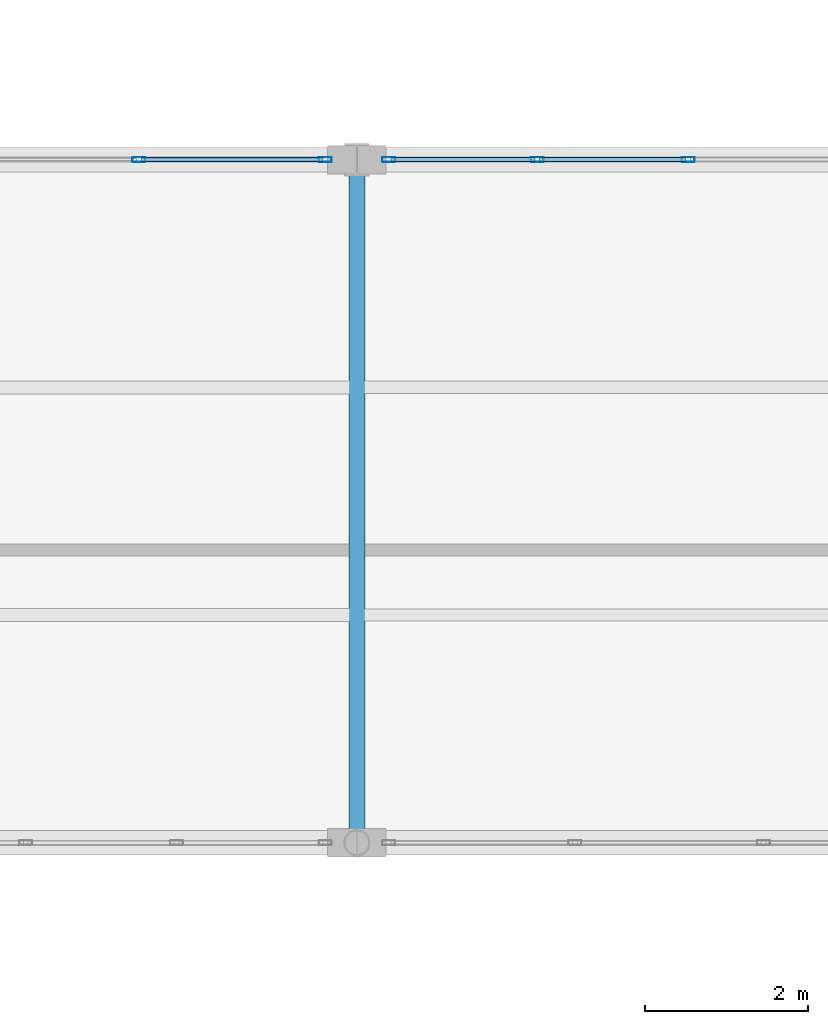
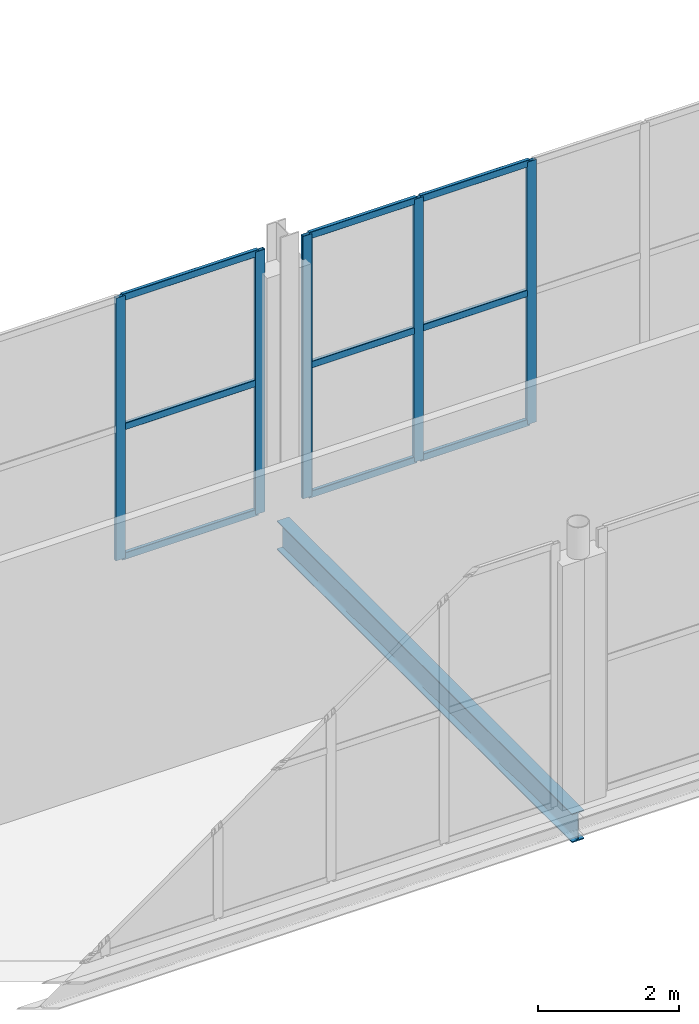
# One storey, part 61 of 120: 14 members, 1 beam, 2 elements without a shape of their own.
"""IFC4 building model written with IfcOpenShell, lengths in metres."""

from ifc_helpers import new_model, si_unit, direction, frame, origin, origin_2d, place, context, subcontext, project, spatial, hollow_rectangle, i_section, extrude, material, layer, layer_set, material_profile, profile_set, type_object, element, aggregate, save


model = new_model("IFC4")

# Units and contexts
model_context = context("Model", 3, precision=1e-05, world=origin(), true_north=direction((0.0, 1.0)))
body_context = subcontext(model_context, "Body", "Model", "MODEL_VIEW")
ifc_project = project(units=[si_unit("LENGTHUNIT", "METRE"), si_unit("AREAUNIT", "SQUARE_METRE"), si_unit("VOLUMEUNIT", "CUBIC_METRE"), si_unit("PLANEANGLEUNIT", "RADIAN"), si_unit("MASSUNIT", "GRAM", prefix="KILO")], contexts=[model_context])

# Site, building, storey
site_placement = place(None, origin())
site = spatial("IfcSite", under=ifc_project, at=site_placement, CompositionType="ELEMENT")
building_placement = place(site_placement, origin())
building = spatial("IfcBuilding", under=site, at=building_placement, Name="Vekula Escarpment Museum", CompositionType="ELEMENT")
storey_placement = place(building_placement, frame((0.0, 0.0, 13.199951171875)))
storey = spatial("IfcBuildingStorey", under=building, at=storey_placement, Name="L03", CompositionType="ELEMENT", Elevation=13.199951171875)

# Beam
ifc_material_1 = material(Name="Steel S355", Category="steel")
ifc_material_profile_1 = material_profile(ifc_material_1, i_section(OverallWidth=0.199951171875, OverallDepth=0.5, WebThickness=0.01025390625, FlangeThickness=0.01611328125, FilletRadius=0.02099609375, at=origin_2d()), Name="IPE 500")
ifc_profile_set_1 = profile_set([ifc_material_profile_1], Name="Steel S355")
beam_type = type_object("IfcBeamType", Name="BM-GIRD-IPE500", PredefinedType="BEAM", material=ifc_profile_set_1)
beam_placement = place(storey_placement, frame((136.0, 68.0, -0.5), z_axis=(0.0, 1.0, 0.0), x_axis=(-1.0, 0.0, 0.0)))
element("IfcBeam", 1, at=beam_placement, inside=storey, type_object=beam_type, Name="Beam Y L03 1633", PredefinedType="BEAM", context=body_context, shape_type="SweptSolid", body=[
    extrude(i_section(OverallWidth=0.199951171875, OverallDepth=0.5, WebThickness=0.01025390625, FlangeThickness=0.01611328125, FilletRadius=0.02099609375, at=origin_2d()), origin(), (0.0, 0.0, 1.0), 8.39990234375),
])

# Curtain wall, members
ifc_material_2 = material(Name="Aluminium thermally broken framing", Category="aluminium")
ifc_layer_1 = layer(ifc_material_2, 0.14990234375)
ifc_layer_set_1 = layer_set([ifc_layer_1], Name="Aluminium thermally broken framing")
curtain_wall_type_1 = type_object("IfcCurtainWallType", Name="CW-SYS-09", PredefinedType="NOTDEFINED", material=ifc_layer_set_1)
curtain_wall_1_placement = place(storey_placement, origin())
curtain_wall_1 = element("IfcCurtainWall", 2, at=curtain_wall_1_placement, inside=storey, type_object=curtain_wall_type_1, Name="Curtain Wall CW-L03-119", PredefinedType="NOTDEFINED")
ifc_material_3 = material(Name="Aluminium anodized mullion", Category="aluminium")
ifc_material_profile_2 = material_profile(ifc_material_3, hollow_rectangle(XDim=0.06005859375, YDim=0.159912109375, WallThickness=0.00390625, InnerFilletRadius=0.00390625, OuterFilletRadius=0.008056640625, at=origin_2d()), Name="ALU 160x60x4")
ifc_profile_set_2 = profile_set([ifc_material_profile_2], Name="Aluminium anodized mullion")
member_type_1 = type_object("IfcMemberType", Name="CW-MUL-160", PredefinedType="MULLION", material=ifc_profile_set_2)
member_1_placement = place(storey_placement, frame((140.072021484375, 76.39990234375, 0.0), z_axis=(0.0, 0.0, 1.0), x_axis=(0.0, -1.0, 0.0)))
member_1 = element("IfcMember", 3, at=member_1_placement, type_object=member_type_1, Name="CW-09 mullion 4", PredefinedType="MULLION", context=body_context, shape_type="SweptSolid", body=[
    extrude(hollow_rectangle(XDim=0.06005859375, YDim=0.159912109375, WallThickness=0.00390625, InnerFilletRadius=0.00390625, OuterFilletRadius=0.008056640625, at=origin_2d()), origin(), (0.0, 0.0, 1.0), 4.56005859375),
])
member_2_placement = place(storey_placement, frame((138.216064453125, 76.39990234375, 0.0), z_axis=(0.0, 0.0, 1.0), x_axis=(0.0, -1.0, 0.0)))
member_2 = element("IfcMember", 4, at=member_2_placement, type_object=member_type_1, Name="CW-09 mullion 5", PredefinedType="MULLION", context=body_context, shape_type="SweptSolid", body=[
    extrude(hollow_rectangle(XDim=0.06005859375, YDim=0.159912109375, WallThickness=0.00390625, InnerFilletRadius=0.00390625, OuterFilletRadius=0.008056640625, at=origin_2d()), origin(), (0.0, 0.0, 1.0), 4.56005859375),
])
member_3_placement = place(storey_placement, frame((136.389892578125, 76.39990234375, 0.0), z_axis=(0.0, 0.0, 1.0), x_axis=(0.0, -1.0, 0.0)))
member_3 = element("IfcMember", 5, at=member_3_placement, type_object=member_type_1, Name="CW-09 mullion 6", PredefinedType="MULLION", context=body_context, shape_type="SweptSolid", body=[
    extrude(hollow_rectangle(XDim=0.06005859375, YDim=0.159912109375, WallThickness=0.00390625, InnerFilletRadius=0.00390625, OuterFilletRadius=0.008056640625, at=origin_2d()), origin(), (0.0, 0.0, 1.0), 4.56005859375),
])

ifc_material_4 = material(Name="Aluminium thermally broken framing", Category="aluminium")
ifc_layer_2 = layer(ifc_material_4, 0.169921875)
ifc_layer_set_2 = layer_set([ifc_layer_2], Name="Aluminium thermally broken framing")
curtain_wall_type_2 = type_object("IfcCurtainWallType", Name="CW-SYS-10", PredefinedType="NOTDEFINED", material=ifc_layer_set_2)
curtain_wall_2_placement = place(storey_placement, origin())
curtain_wall_2 = element("IfcCurtainWall", 6, at=curtain_wall_2_placement, inside=storey, type_object=curtain_wall_type_2, Name="Curtain Wall CW-L03-120", PredefinedType="NOTDEFINED")
member_4_placement = place(storey_placement, frame((135.610107421875, 76.39990234375, 0.0), z_axis=(0.0, 0.0, 1.0), x_axis=(0.0, -1.0, 0.0)))
member_4 = element("IfcMember", 7, at=member_4_placement, type_object=member_type_1, Name="CW-10 mullion 1", PredefinedType="MULLION", context=body_context, shape_type="SweptSolid", body=[
    extrude(hollow_rectangle(XDim=0.06005859375, YDim=0.159912109375, WallThickness=0.00390625, InnerFilletRadius=0.00390625, OuterFilletRadius=0.008056640625, at=origin_2d()), origin(), (0.0, 0.0, 1.0), 4.56005859375),
])
member_5_placement = place(storey_placement, frame((133.320068359375, 76.39990234375, 0.0), z_axis=(0.0, 0.0, 1.0), x_axis=(0.0, -1.0, 0.0)))
member_5 = element("IfcMember", 8, at=member_5_placement, type_object=member_type_1, Name="CW-10 mullion 2", PredefinedType="MULLION", context=body_context, shape_type="SweptSolid", body=[
    extrude(hollow_rectangle(XDim=0.06005859375, YDim=0.159912109375, WallThickness=0.00390625, InnerFilletRadius=0.00390625, OuterFilletRadius=0.008056640625, at=origin_2d()), origin(), (0.0, 0.0, 1.0), 4.56005859375),
])

# Member
ifc_material_5 = material(Name="Aluminium anodized transom", Category="aluminium")
ifc_material_profile_3 = material_profile(ifc_material_5, hollow_rectangle(XDim=0.06005859375, YDim=0.1201171875, WallThickness=0.00390625, InnerFilletRadius=0.00390625, OuterFilletRadius=0.008056640625, at=origin_2d()), Name="ALU 120x60x4")
ifc_profile_set_3 = profile_set([ifc_material_profile_3], Name="Aluminium anodized transom")
member_type_2 = type_object("IfcMemberType", Name="CW-TRN-120", PredefinedType="USERDEFINED", material=ifc_profile_set_3)
member_6_placement = place(storey_placement, frame((140.0419921875, 76.39990234375, 0.030029296875), z_axis=(-1.0, 0.0, 0.0), x_axis=(0.0, -1.0, 0.0)))
member_6 = element("IfcMember", 9, at=member_6_placement, type_object=member_type_2, Name="CW-09 transom 4.1", ObjectType="TRANSOM", PredefinedType="USERDEFINED", context=body_context, shape_type="SweptSolid", body=[
    extrude(hollow_rectangle(XDim=0.06005859375, YDim=0.1201171875, WallThickness=0.00390625, InnerFilletRadius=0.00390625, OuterFilletRadius=0.008056640625, at=origin_2d()), origin(), (0.0, 0.0, 1.0), 1.7958984375),
])

member_7_placement = place(storey_placement, frame((140.0419921875, 76.39990234375, 2.280029296875), z_axis=(-1.0, 0.0, 0.0), x_axis=(0.0, -1.0, 0.0)))
member_7 = element("IfcMember", 10, at=member_7_placement, type_object=member_type_2, Name="CW-09 transom 4.2", ObjectType="TRANSOM", PredefinedType="USERDEFINED", context=body_context, shape_type="SweptSolid", body=[
    extrude(hollow_rectangle(XDim=0.06005859375, YDim=0.1201171875, WallThickness=0.00390625, InnerFilletRadius=0.00390625, OuterFilletRadius=0.008056640625, at=origin_2d()), origin(), (0.0, 0.0, 1.0), 1.7958984375),
])

member_8_placement = place(storey_placement, frame((140.0419921875, 76.39990234375, 4.530029296875), z_axis=(-1.0, 0.0, 0.0), x_axis=(0.0, -1.0, 0.0)))
member_8 = element("IfcMember", 11, at=member_8_placement, type_object=member_type_2, Name="CW-09 transom 4.3", ObjectType="TRANSOM", PredefinedType="USERDEFINED", context=body_context, shape_type="SweptSolid", body=[
    extrude(hollow_rectangle(XDim=0.06005859375, YDim=0.1201171875, WallThickness=0.00390625, InnerFilletRadius=0.00390625, OuterFilletRadius=0.008056640625, at=origin_2d()), origin(), (0.0, 0.0, 1.0), 1.7958984375),
])

member_9_placement = place(storey_placement, frame((138.18603515625, 76.39990234375, 0.030029296875), z_axis=(-1.0, 0.0, 0.0), x_axis=(0.0, -1.0, 0.0)))
member_9 = element("IfcMember", 12, at=member_9_placement, type_object=member_type_2, Name="CW-09 transom 5.1", ObjectType="TRANSOM", PredefinedType="USERDEFINED", context=body_context, shape_type="SweptSolid", body=[
    extrude(hollow_rectangle(XDim=0.06005859375, YDim=0.1201171875, WallThickness=0.00390625, InnerFilletRadius=0.00390625, OuterFilletRadius=0.008056640625, at=origin_2d()), origin(), (0.0, 0.0, 1.0), 1.76611328125),
])

member_10_placement = place(storey_placement, frame((138.18603515625, 76.39990234375, 2.280029296875), z_axis=(-1.0, 0.0, 0.0), x_axis=(0.0, -1.0, 0.0)))
member_10 = element("IfcMember", 13, at=member_10_placement, type_object=member_type_2, Name="CW-09 transom 5.2", ObjectType="TRANSOM", PredefinedType="USERDEFINED", context=body_context, shape_type="SweptSolid", body=[
    extrude(hollow_rectangle(XDim=0.06005859375, YDim=0.1201171875, WallThickness=0.00390625, InnerFilletRadius=0.00390625, OuterFilletRadius=0.008056640625, at=origin_2d()), origin(), (0.0, 0.0, 1.0), 1.76611328125),
])

member_11_placement = place(storey_placement, frame((138.18603515625, 76.39990234375, 4.530029296875), z_axis=(-1.0, 0.0, 0.0), x_axis=(0.0, -1.0, 0.0)))
member_11 = element("IfcMember", 14, at=member_11_placement, type_object=member_type_2, Name="CW-09 transom 5.3", ObjectType="TRANSOM", PredefinedType="USERDEFINED", context=body_context, shape_type="SweptSolid", body=[
    extrude(hollow_rectangle(XDim=0.06005859375, YDim=0.1201171875, WallThickness=0.00390625, InnerFilletRadius=0.00390625, OuterFilletRadius=0.008056640625, at=origin_2d()), origin(), (0.0, 0.0, 1.0), 1.76611328125),
])

aggregate(curtain_wall_1, [member_1, member_2, member_3, member_6, member_7, member_8, member_9, member_10, member_11])

member_12_placement = place(storey_placement, frame((135.580078125, 76.39990234375, 0.030029296875), z_axis=(-1.0, 0.0, 0.0), x_axis=(0.0, -1.0, 0.0)))
member_12 = element("IfcMember", 15, at=member_12_placement, type_object=member_type_2, Name="CW-10 transom 1.1", ObjectType="TRANSOM", PredefinedType="USERDEFINED", context=body_context, shape_type="SweptSolid", body=[
    extrude(hollow_rectangle(XDim=0.06005859375, YDim=0.1201171875, WallThickness=0.00390625, InnerFilletRadius=0.00390625, OuterFilletRadius=0.008056640625, at=origin_2d()), origin(), (0.0, 0.0, 1.0), 2.22998046875),
])

member_13_placement = place(storey_placement, frame((135.580078125, 76.39990234375, 2.280029296875), z_axis=(-1.0, 0.0, 0.0), x_axis=(0.0, -1.0, 0.0)))
member_13 = element("IfcMember", 16, at=member_13_placement, type_object=member_type_2, Name="CW-10 transom 1.2", ObjectType="TRANSOM", PredefinedType="USERDEFINED", context=body_context, shape_type="SweptSolid", body=[
    extrude(hollow_rectangle(XDim=0.06005859375, YDim=0.1201171875, WallThickness=0.00390625, InnerFilletRadius=0.00390625, OuterFilletRadius=0.008056640625, at=origin_2d()), origin(), (0.0, 0.0, 1.0), 2.22998046875),
])

member_14_placement = place(storey_placement, frame((135.580078125, 76.39990234375, 4.530029296875), z_axis=(-1.0, 0.0, 0.0), x_axis=(0.0, -1.0, 0.0)))
member_14 = element("IfcMember", 17, at=member_14_placement, type_object=member_type_2, Name="CW-10 transom 1.3", ObjectType="TRANSOM", PredefinedType="USERDEFINED", context=body_context, shape_type="SweptSolid", body=[
    extrude(hollow_rectangle(XDim=0.06005859375, YDim=0.1201171875, WallThickness=0.00390625, InnerFilletRadius=0.00390625, OuterFilletRadius=0.008056640625, at=origin_2d()), origin(), (0.0, 0.0, 1.0), 2.22998046875),
])

aggregate(curtain_wall_2, [member_4, member_5, member_12, member_13, member_14])

save(model, "model.ifc")
